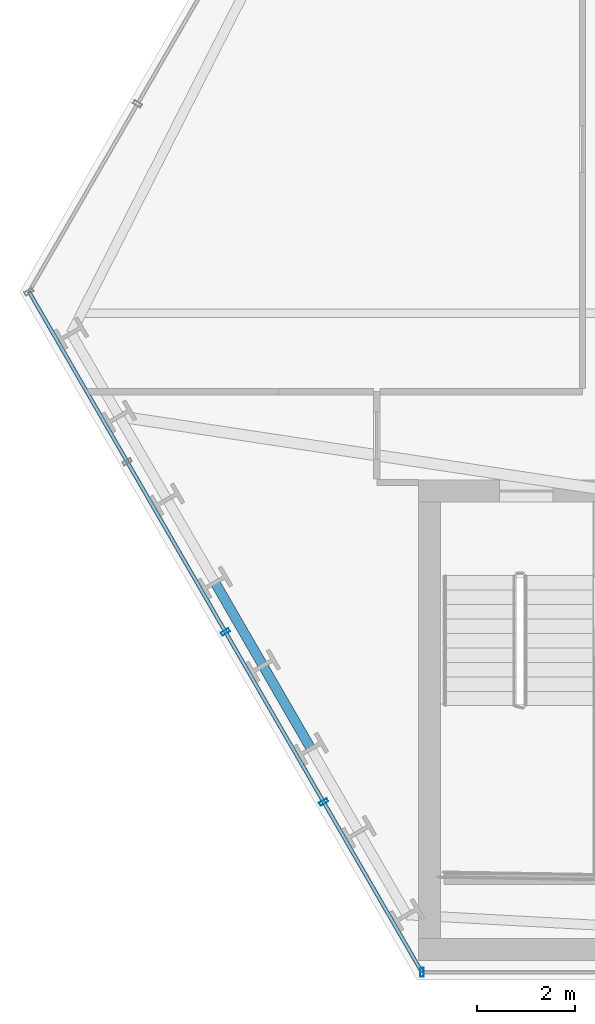
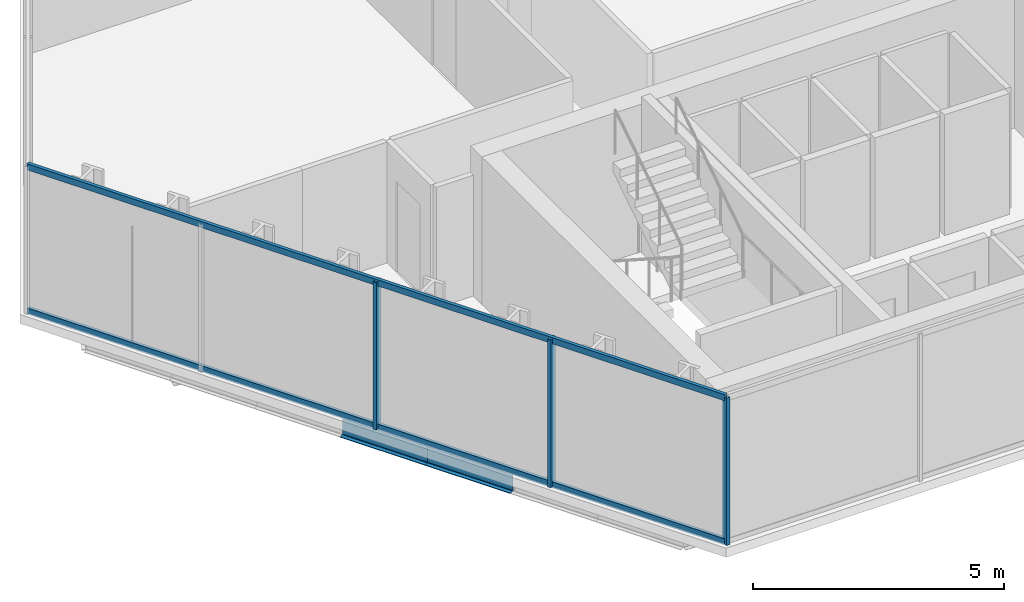
# One storey, part 2 of 32: 5 members, 2 beams, 2 elements without a shape of their own.
"""IFC4 building model written with IfcOpenShell, lengths in metres."""

from ifc_helpers import new_model, si_unit, direction, frame, origin, origin_2d, place, context, subcontext, project, spatial, hollow_rectangle, i_section, extrude, material, layer, layer_set, material_profile, profile_set, type_object, element, aggregate, save


model = new_model("IFC4")

# Units and contexts
model_context = context("Model", 3, precision=1e-05, world=origin(), true_north=direction((0.0, 1.0)))
body_context = subcontext(model_context, "Body", "Model", "MODEL_VIEW")
ifc_project = project(units=[si_unit("LENGTHUNIT", "METRE"), si_unit("AREAUNIT", "SQUARE_METRE"), si_unit("VOLUMEUNIT", "CUBIC_METRE"), si_unit("PLANEANGLEUNIT", "RADIAN"), si_unit("MASSUNIT", "GRAM", prefix="KILO")], contexts=[model_context])

# Site, building, storey
site_placement = place(None, origin())
site = spatial("IfcSite", under=ifc_project, at=site_placement, CompositionType="ELEMENT")
building_placement = place(site_placement, origin())
building = spatial("IfcBuilding", under=site, at=building_placement, Name="Ndaravel Arena Tower", CompositionType="ELEMENT")
storey_placement = place(building_placement, frame((0.0, 0.0, 51.199951171875)))
storey = spatial("IfcBuildingStorey", under=building, at=storey_placement, Name="L10", CompositionType="ELEMENT", Elevation=51.199951171875)

# Beams
ifc_material_1 = material(Name="Steel S355", Category="steel")
ifc_material_profile_1 = material_profile(ifc_material_1, i_section(OverallWidth=0.199951171875, OverallDepth=0.5, WebThickness=0.01025390625, FlangeThickness=0.01611328125, FilletRadius=0.02099609375, at=origin_2d()), Name="IPE 500")
ifc_profile_set_1 = profile_set([ifc_material_profile_1], Name="Steel S355")
beam_type = type_object("IfcBeamType", Name="BM-SPAN-IPE500", PredefinedType="SPANDREL", material=ifc_profile_set_1)
beam_1_placement = place(storey_placement, frame((22.30126953125, 13.107177734375, -0.469970703125), z_axis=(0.500003221507, -0.866023543838, 0.0), x_axis=(0.866023543838, 0.500003221507, 0.0)))
element("IfcBeam", 1, at=beam_1_placement, inside=storey, type_object=beam_type, Name="L10 Perimeter Spandrel Beam SP-23", PredefinedType="SPANDREL", context=body_context, shape_type="SweptSolid", body=[
    extrude(i_section(OverallWidth=0.199951171875, OverallDepth=0.5, WebThickness=0.01025390625, FlangeThickness=0.01611328125, FilletRadius=0.02099609375, at=origin_2d()), origin(), (0.0, 0.0, 1.0), 1.95703125),
])
beam_2_placement = place(storey_placement, frame((23.27978515625, 11.412353515625, -0.469970703125), z_axis=(0.49994920724, -0.866054727012, 0.0), x_axis=(0.866054727012, 0.49994920724, 0.0)))
element("IfcBeam", 2, at=beam_2_placement, inside=storey, type_object=beam_type, Name="L10 Perimeter Spandrel Beam SP-24", PredefinedType="SPANDREL", context=body_context, shape_type="SweptSolid", body=[
    extrude(i_section(OverallWidth=0.199951171875, OverallDepth=0.5, WebThickness=0.01025390625, FlangeThickness=0.01611328125, FilletRadius=0.02099609375, at=origin_2d()), origin(), (0.0, 0.0, 1.0), 1.957275390625),
])

# Curtain wall, member
ifc_material_2 = material(Name="Aluminium", Category="aluminium")
ifc_layer_1 = layer(ifc_material_2, 0.179931640625)
ifc_layer_set_1 = layer_set([ifc_layer_1], Name="Aluminium")
curtain_wall_type_1 = type_object("IfcCurtainWallType", Name="CW-SYS-03", PredefinedType="NOTDEFINED", material=ifc_layer_set_1)
curtain_wall_1_placement = place(storey_placement, origin())
curtain_wall_1 = element("IfcCurtainWall", 3, at=curtain_wall_1_placement, inside=storey, type_object=curtain_wall_type_1, Name="L10 Faceted Crystal Curtain Wall CW-L10-E01", PredefinedType="NOTDEFINED")
ifc_material_3 = material(Name="Aluminium", Category="aluminium")
ifc_material_profile_2 = material_profile(ifc_material_3, hollow_rectangle(XDim=0.074951171875, YDim=0.179931640625, WallThickness=0.00390625, at=origin_2d()), Name="CW MULLION 75x180x4")
ifc_profile_set_2 = profile_set([ifc_material_profile_2], Name="Aluminium")
member_type_1 = type_object("IfcMemberType", Name="MEM-CW-MUL180", PredefinedType="MULLION", material=ifc_profile_set_2)
member_1_placement = place(storey_placement, frame((26.52001953125, 5.159912109375, 0.0), z_axis=(0.0, 0.0, 1.0), x_axis=(1.0, 0.0, 0.0)))
member_1 = element("IfcMember", 4, at=member_1_placement, type_object=member_type_1, Name="CW-L10-E01 Mullion 00", PredefinedType="MULLION", context=body_context, shape_type="SweptSolid", body=[
    extrude(hollow_rectangle(XDim=0.074951171875, YDim=0.179931640625, WallThickness=0.00390625, at=origin_2d()), origin(), (0.0, 0.0, 1.0), 3.580078125),
])
aggregate(curtain_wall_1, [member_1])

# Curtain wall, members
ifc_material_4 = material(Name="Aluminium", Category="aluminium")
ifc_layer_2 = layer(ifc_material_4, 0.179931640625)
ifc_layer_set_2 = layer_set([ifc_layer_2], Name="Aluminium")
curtain_wall_type_2 = type_object("IfcCurtainWallType", Name="CW-SYS-02", PredefinedType="NOTDEFINED", material=ifc_layer_set_2)
curtain_wall_2_placement = place(storey_placement, origin())
curtain_wall_2 = element("IfcCurtainWall", 5, at=curtain_wall_2_placement, inside=storey, type_object=curtain_wall_type_2, Name="L10 Faceted Crystal Curtain Wall CW-L10-E06", PredefinedType="NOTDEFINED")
member_2_placement = place(storey_placement, frame((22.513427734375, 12.099853515625, 0.0), z_axis=(0.0, 0.0, 1.0), x_axis=(0.5, -0.866025403784, 0.0)))
member_2 = element("IfcMember", 6, at=member_2_placement, type_object=member_type_1, Name="CW-L10-E06 Mullion 02", PredefinedType="MULLION", context=body_context, shape_type="SweptSolid", body=[
    extrude(hollow_rectangle(XDim=0.074951171875, YDim=0.179931640625, WallThickness=0.00390625, at=origin_2d()), origin(), (0.0, 0.0, 1.0), 3.580078125),
])
member_3_placement = place(storey_placement, frame((24.516845703125, 8.6298828125, 0.0), z_axis=(0.0, 0.0, 1.0), x_axis=(0.5, -0.866025403784, 0.0)))
member_3 = element("IfcMember", 7, at=member_3_placement, type_object=member_type_1, Name="CW-L10-E06 Mullion 03", PredefinedType="MULLION", context=body_context, shape_type="SweptSolid", body=[
    extrude(hollow_rectangle(XDim=0.074951171875, YDim=0.179931640625, WallThickness=0.00390625, at=origin_2d()), origin(), (0.0, 0.0, 1.0), 3.580078125),
])
ifc_material_5 = material(Name="Aluminium", Category="aluminium")
ifc_material_profile_3 = material_profile(ifc_material_5, hollow_rectangle(XDim=0.074951171875, YDim=0.14990234375, WallThickness=0.00390625, at=origin_2d()), Name="CW TRANSOM 75x150x4")
ifc_profile_set_3 = profile_set([ifc_material_profile_3], Name="Aluminium")
member_type_2 = type_object("IfcMemberType", Name="MEM-CW-TRN150", PredefinedType="USERDEFINED", material=ifc_profile_set_3)
member_4_placement = place(storey_placement, frame((18.5068359375, 19.03955078125, 0.0400390625), z_axis=(0.499989258689, -0.866031605195, 0.0), x_axis=(0.866031605195, 0.499989258689, 0.0)))
member_4 = element("IfcMember", 8, at=member_4_placement, type_object=member_type_2, Name="CW-L10-E06 Transom 01", ObjectType="TRANSOM", PredefinedType="USERDEFINED", context=body_context, shape_type="SweptSolid", body=[
    extrude(hollow_rectangle(XDim=0.074951171875, YDim=0.14990234375, WallThickness=0.00390625, at=origin_2d()), origin(), (0.0, 0.0, 1.0), 16.026611328125),
])
member_5_placement = place(storey_placement, frame((18.5068359375, 19.03955078125, 3.5400390625), z_axis=(0.499989258689, -0.866031605195, 0.0), x_axis=(0.866031605195, 0.499989258689, 0.0)))
member_5 = element("IfcMember", 9, at=member_5_placement, type_object=member_type_2, Name="CW-L10-E06 Transom 02", ObjectType="TRANSOM", PredefinedType="USERDEFINED", context=body_context, shape_type="SweptSolid", body=[
    extrude(hollow_rectangle(XDim=0.074951171875, YDim=0.14990234375, WallThickness=0.00390625, at=origin_2d()), origin(), (0.0, 0.0, 1.0), 16.026611328125),
])
aggregate(curtain_wall_2, [member_2, member_3, member_4, member_5])

save(model, "model.ifc")
